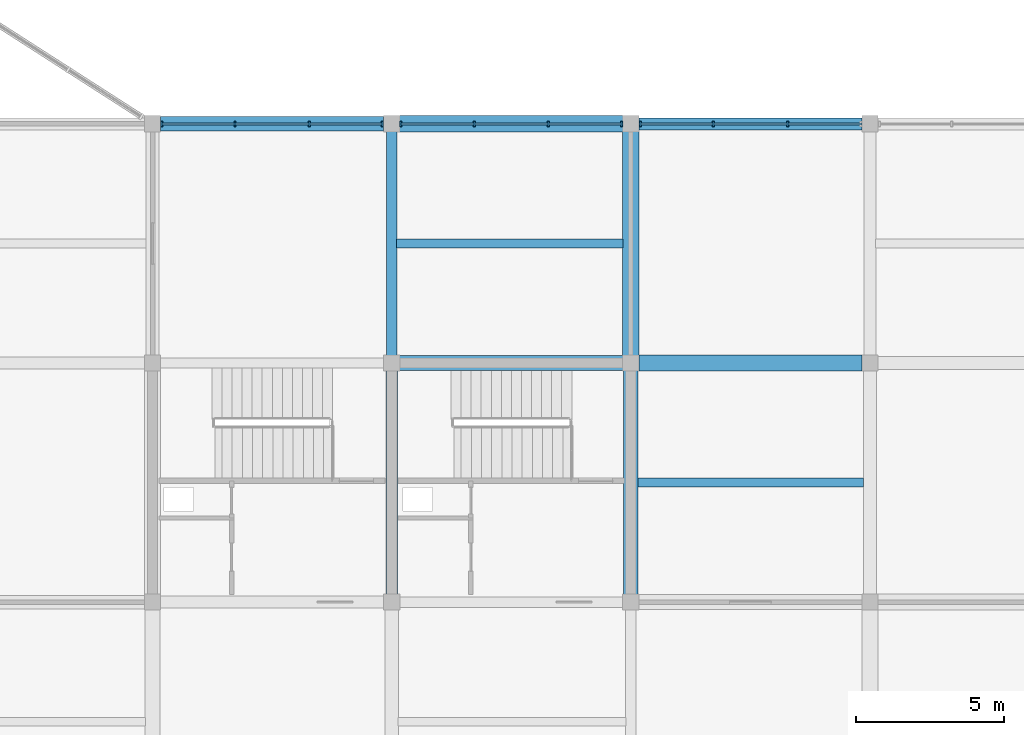
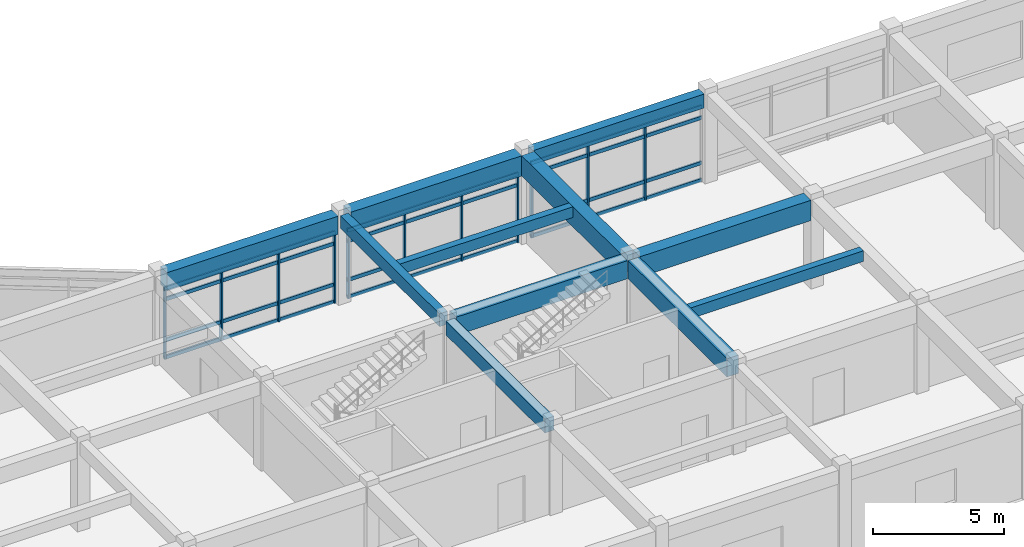
# One storey, part 15 of 42: 23 members, 11 beams, 3 elements without a shape of their own.
"""IFC4 building model written with IfcOpenShell, lengths in metres."""

from ifc_helpers import new_model, si_unit, direction, frame, origin, origin_2d, place, context, subcontext, project, spatial, rectangle, extrude, material, layer, layer_set, material_profile, profile_set, type_object, element, aggregate, save


model = new_model("IFC4")

# Units and contexts
model_context = context("Model", 3, precision=1e-05, world=origin(), true_north=direction((0.0, 1.0)))
body_context = subcontext(model_context, "Body", "Model", "MODEL_VIEW")
ifc_project = project(units=[si_unit("LENGTHUNIT", "METRE"), si_unit("AREAUNIT", "SQUARE_METRE"), si_unit("VOLUMEUNIT", "CUBIC_METRE"), si_unit("PLANEANGLEUNIT", "RADIAN"), si_unit("MASSUNIT", "GRAM", prefix="KILO")], contexts=[model_context])

# Site, building, storey
site_placement = place(None, origin())
site = spatial("IfcSite", under=ifc_project, at=site_placement, CompositionType="ELEMENT")
building_placement = place(site_placement, origin())
building = spatial("IfcBuilding", under=site, at=building_placement, Name="Vaudrelin Polytechnic", CompositionType="ELEMENT")
storey_placement = place(building_placement, frame((0.0, 0.0, 18.530029296875)))
storey = spatial("IfcBuildingStorey", under=building, at=storey_placement, Name="L04", CompositionType="ELEMENT", Elevation=18.530029296875)

# Beams
ifc_material_1 = material(Name="Concrete 40 MPa", Category="concrete")
ifc_material_profile_1 = material_profile(ifc_material_1, rectangle(XDim=0.35009765625, YDim=0.60009765625, at=origin_2d()), Name="RC350x600")
ifc_profile_set_1 = profile_set([ifc_material_profile_1], Name="Concrete 40 MPa")
beam_type_1 = type_object("IfcBeamType", Name="BM-BM-RC3560", PredefinedType="BEAM", material=ifc_profile_set_1)
beam_1_placement = place(storey_placement, frame((113.39990234375, 113.659912109375, 3.85986328125), z_axis=(0.0, 1.0, 0.0), x_axis=(-1.0, 0.0, 0.0)))
element("IfcBeam", 1, at=beam_1_placement, inside=storey, type_object=beam_type_1, Name="L04 Y-beam 15-15", PredefinedType="BEAM", context=body_context, shape_type="SweptSolid", body=[
    extrude(rectangle(XDim=0.35009765625, YDim=0.60009765625, at=origin_2d()), origin(), (0.0, 0.0, 1.0), 7.580078125),
])
ifc_material_profile_2 = material_profile(ifc_material_1, rectangle(XDim=0.39990234375, YDim=0.64990234375, at=origin_2d()), Name="RC400x650")
ifc_profile_set_2 = profile_set([ifc_material_profile_2], Name="Concrete 40 MPa")
beam_type_2 = type_object("IfcBeamType", Name="BM-BM-RC4065", PredefinedType="BEAM", material=ifc_profile_set_2)
beam_2_placement = place(storey_placement, frame((113.39990234375, 105.56005859375, 3.8349609375), z_axis=(0.0, 1.0, 0.0), x_axis=(-1.0, 0.0, 0.0)))
element("IfcBeam", 2, at=beam_2_placement, inside=storey, type_object=beam_type_2, Name="L04 Y-beam 15-14", PredefinedType="BEAM", context=body_context, shape_type="SweptSolid", body=[
    extrude(rectangle(XDim=0.39990234375, YDim=0.64990234375, at=origin_2d()), origin(), (0.0, 0.0, 1.0), 7.579833984375),
])
ifc_material_profile_3 = material_profile(ifc_material_1, rectangle(XDim=0.5, YDim=0.85009765625, at=origin_2d()), Name="RC500x850")
ifc_profile_set_3 = profile_set([ifc_material_profile_3], Name="Concrete 40 MPa")
beam_type_3 = type_object("IfcBeamType", Name="BM-BM-RC5085", PredefinedType="BEAM", material=ifc_profile_set_3)
beam_3_placement = place(storey_placement, frame((121.5, 105.56005859375, 3.73486328125), z_axis=(0.0, 1.0, 0.0), x_axis=(-1.0, 0.0, 0.0)))
element("IfcBeam", 3, at=beam_3_placement, inside=storey, type_object=beam_type_3, Name="L04 Y-beam 16-14", PredefinedType="BEAM", context=body_context, shape_type="SweptSolid", body=[
    extrude(rectangle(XDim=0.5, YDim=0.85009765625, at=origin_2d()), origin(), (0.0, 0.0, 1.0), 7.579833984375),
])
beam_4_placement = place(storey_placement, frame((105.571044921875, 121.5, 3.73486328125), z_axis=(1.0, 0.0, 0.0), x_axis=(0.0, 1.0, 0.0)))
element("IfcBeam", 4, at=beam_4_placement, inside=storey, type_object=beam_type_3, Name="L04 X-beam 14-16", PredefinedType="BEAM", context=body_context, shape_type="SweptSolid", body=[
    extrude(rectangle(XDim=0.5, YDim=0.85009765625, at=origin_2d()), origin(), (0.0, 0.0, 1.0), 7.557861328125),
])
beam_5_placement = place(storey_placement, frame((113.6708984375, 113.39990234375, 3.73486328125), z_axis=(1.0, 0.0, 0.0), x_axis=(0.0, 1.0, 0.0)))
element("IfcBeam", 5, at=beam_5_placement, inside=storey, type_object=beam_type_3, Name="L04 X-beam 15-15", PredefinedType="BEAM", context=body_context, shape_type="SweptSolid", body=[
    extrude(rectangle(XDim=0.5, YDim=0.85009765625, at=origin_2d()), origin(), (0.0, 0.0, 1.0), 7.55810546875),
])
ifc_material_2 = material(Name="Concrete 50 MPa", Category="concrete")
ifc_material_profile_4 = material_profile(ifc_material_2, rectangle(XDim=0.550048828125, YDim=0.949951171875, at=origin_2d()), Name="RC550x950")
ifc_profile_set_4 = profile_set([ifc_material_profile_4], Name="Concrete 50 MPa")
beam_type_4 = type_object("IfcBeamType", Name="BM-BM-RC5595", PredefinedType="BEAM", material=ifc_profile_set_4)
beam_6_placement = place(storey_placement, frame((121.5, 113.659912109375, 3.68505859375), z_axis=(0.0, 1.0, 0.0), x_axis=(-1.0, 0.0, 0.0)))
element("IfcBeam", 6, at=beam_6_placement, inside=storey, type_object=beam_type_4, Name="L04 Y-beam 16-15", PredefinedType="BEAM", context=body_context, shape_type="SweptSolid", body=[
    extrude(rectangle(XDim=0.550048828125, YDim=0.949951171875, at=origin_2d()), origin(), (0.0, 0.0, 1.0), 7.580078125),
])
for number, where, z_axis, x_axis, name in (
    (7, (113.6708984375, 121.5, 3.68505859375), (1.0, 0.0, 0.0), (0.0, 1.0, 0.0), "L04 X-beam 15-16"),
    (8, (121.77099609375, 113.39990234375, 3.68505859375), (1.0, 0.0, 0.0), (0.0, 1.0, 0.0), "L04 X-beam 16-15"),
):
    element("IfcBeam", number, at=place(storey_placement, frame(where, z_axis=z_axis, x_axis=x_axis)), inside=storey, type_object=beam_type_4, Name=name, PredefinedType="BEAM", context=body_context, shape_type="SweptSolid", body=[
        extrude(rectangle(XDim=0.550048828125, YDim=0.949951171875, at=origin_2d()), origin(), (0.0, 0.0, 1.0), 7.55810546875),
    ])
ifc_material_profile_5 = material_profile(ifc_material_1, rectangle(XDim=0.300048828125, YDim=0.5, at=origin_2d()), Name="RC300x500")
ifc_profile_set_5 = profile_set([ifc_material_profile_5], Name="Concrete 40 MPa")
beam_type_5 = type_object("IfcBeamType", Name="BM-JS-RC3050", PredefinedType="JOIST", material=ifc_profile_set_5)
beam_7_placement = place(storey_placement, frame((113.571044921875, 117.449951171875, 3.909912109375), z_axis=(1.0, 0.0, 0.0), x_axis=(0.0, 1.0, 0.0)))
element("IfcBeam", 9, at=beam_7_placement, inside=storey, type_object=beam_type_5, Name="L04 floor joist 15-15", PredefinedType="JOIST", context=body_context, shape_type="SweptSolid", body=[
    extrude(rectangle(XDim=0.300048828125, YDim=0.5, at=origin_2d()), origin(), (0.0, 0.0, 1.0), 7.657958984375),
])
beam_8_placement = place(storey_placement, frame((121.74609375, 109.35009765625, 3.909912109375), z_axis=(1.0, 0.0, 0.0), x_axis=(0.0, 1.0, 0.0)))
element("IfcBeam", 10, at=beam_8_placement, inside=storey, type_object=beam_type_5, Name="L04 floor joist 16-14", PredefinedType="JOIST", context=body_context, shape_type="SweptSolid", body=[
    extrude(rectangle(XDim=0.300048828125, YDim=0.5, at=origin_2d()), origin(), (0.0, 0.0, 1.0), 7.6328125),
])
ifc_material_profile_6 = material_profile(ifc_material_1, rectangle(XDim=0.39990234375, YDim=0.64990234375, at=origin_2d()), Name="RC400x650")
ifc_profile_set_6 = profile_set([ifc_material_profile_6], Name="Concrete 40 MPa")
beam_type_6 = type_object("IfcBeamType", Name="BM-SP-RC4065", PredefinedType="SPANDREL", material=ifc_profile_set_6)
beam_9_placement = place(storey_placement, frame((121.77099609375, 121.5, 3.8349609375), z_axis=(1.0, 0.0, 0.0), x_axis=(0.0, 1.0, 0.0)))
element("IfcBeam", 11, at=beam_9_placement, inside=storey, type_object=beam_type_6, Name="L04 X-beam 16-16", PredefinedType="SPANDREL", context=body_context, shape_type="SweptSolid", body=[
    extrude(rectangle(XDim=0.39990234375, YDim=0.64990234375, at=origin_2d()), origin(), (0.0, 0.0, 1.0), 7.55810546875),
])

# Curtain wall, members
ifc_material_3 = material(Name="Thermally broken anodised aluminium AA 6063-T6 and low-e triple glazing", Category="aluminium")
ifc_layer = layer(ifc_material_3, 0.199951171875)
ifc_layer_set = layer_set([ifc_layer], Name="Thermally broken anodised aluminium AA 6063-T6 and low-e triple glazing")
curtain_wall_type = type_object("IfcCurtainWallType", Name="CW-CW-STU", PredefinedType="USERDEFINED", material=ifc_layer_set)
curtain_wall_1_placement = place(storey_placement, origin())
curtain_wall_1 = element("IfcCurtainWall", 12, at=curtain_wall_1_placement, inside=storey, type_object=curtain_wall_type, Name="Curtain wall L04 N_V5_13", ObjectType="CURTAIN WALL", PredefinedType="USERDEFINED")
ifc_material_4 = material(Name="Anodised aluminium AA 6063-T6", Category="aluminium")
ifc_material_profile_7 = material_profile(ifc_material_4, rectangle(XDim=0.06494140625, YDim=0.179931640625, at=origin_2d()), Name="CWM-65x180")
ifc_profile_set_7 = profile_set([ifc_material_profile_7], Name="Anodised aluminium AA 6063-T6")
member_type_1 = type_object("IfcMemberType", Name="MEM-CWM-180", PredefinedType="MULLION", material=ifc_profile_set_7)
member_1_placement = place(storey_placement, frame((105.613037109375, 121.5, 0.0), z_axis=(0.0, 0.0, 1.0), x_axis=(1.0, 0.0, 0.0)))
member_1 = element("IfcMember", 13, at=member_1_placement, type_object=member_type_1, Name="N_V5_13 mullion 1", PredefinedType="MULLION", context=body_context, shape_type="SweptSolid", body=[
    extrude(rectangle(XDim=0.06494140625, YDim=0.179931640625, at=origin_2d()), origin(), (0.0, 0.0, 1.0), 3.31201171875),
])
member_2_placement = place(storey_placement, frame((108.091064453125, 121.5, 0.0), z_axis=(0.0, 0.0, 1.0), x_axis=(1.0, 0.0, 0.0)))
member_2 = element("IfcMember", 14, at=member_2_placement, type_object=member_type_1, Name="N_V5_13 mullion 2", PredefinedType="MULLION", context=body_context, shape_type="SweptSolid", body=[
    extrude(rectangle(XDim=0.06494140625, YDim=0.179931640625, at=origin_2d()), origin(), (0.0, 0.0, 1.0), 3.31201171875),
])
member_3_placement = place(storey_placement, frame((110.60888671875, 121.5, 0.0), z_axis=(0.0, 0.0, 1.0), x_axis=(1.0, 0.0, 0.0)))
member_3 = element("IfcMember", 15, at=member_3_placement, type_object=member_type_1, Name="N_V5_13 mullion 3", PredefinedType="MULLION", context=body_context, shape_type="SweptSolid", body=[
    extrude(rectangle(XDim=0.06494140625, YDim=0.179931640625, at=origin_2d()), origin(), (0.0, 0.0, 1.0), 3.31201171875),
])
member_4_placement = place(storey_placement, frame((113.0869140625, 121.5, 0.0), z_axis=(0.0, 0.0, 1.0), x_axis=(1.0, 0.0, 0.0)))
member_4 = element("IfcMember", 16, at=member_4_placement, type_object=member_type_1, Name="N_V5_13 mullion 4", PredefinedType="MULLION", context=body_context, shape_type="SweptSolid", body=[
    extrude(rectangle(XDim=0.06494140625, YDim=0.179931640625, at=origin_2d()), origin(), (0.0, 0.0, 1.0), 3.31201171875),
])

curtain_wall_2_placement = place(storey_placement, origin())
curtain_wall_2 = element("IfcCurtainWall", 17, at=curtain_wall_2_placement, inside=storey, type_object=curtain_wall_type, Name="Curtain wall L04 N_V5_14", ObjectType="CURTAIN WALL", PredefinedType="USERDEFINED")
member_5_placement = place(storey_placement, frame((113.712890625, 121.5, 0.0), z_axis=(0.0, 0.0, 1.0), x_axis=(1.0, 0.0, 0.0)))
member_5 = element("IfcMember", 18, at=member_5_placement, type_object=member_type_1, Name="N_V5_14 mullion 1", PredefinedType="MULLION", context=body_context, shape_type="SweptSolid", body=[
    extrude(rectangle(XDim=0.06494140625, YDim=0.179931640625, at=origin_2d()), origin(), (0.0, 0.0, 1.0), 3.2119140625),
])
member_6_placement = place(storey_placement, frame((116.19091796875, 121.5, 0.0), z_axis=(0.0, 0.0, 1.0), x_axis=(1.0, 0.0, 0.0)))
member_6 = element("IfcMember", 19, at=member_6_placement, type_object=member_type_1, Name="N_V5_14 mullion 2", PredefinedType="MULLION", context=body_context, shape_type="SweptSolid", body=[
    extrude(rectangle(XDim=0.06494140625, YDim=0.179931640625, at=origin_2d()), origin(), (0.0, 0.0, 1.0), 3.2119140625),
])
member_7_placement = place(storey_placement, frame((118.708984375, 121.5, 0.0), z_axis=(0.0, 0.0, 1.0), x_axis=(1.0, 0.0, 0.0)))
member_7 = element("IfcMember", 20, at=member_7_placement, type_object=member_type_1, Name="N_V5_14 mullion 3", PredefinedType="MULLION", context=body_context, shape_type="SweptSolid", body=[
    extrude(rectangle(XDim=0.06494140625, YDim=0.179931640625, at=origin_2d()), origin(), (0.0, 0.0, 1.0), 3.2119140625),
])
member_8_placement = place(storey_placement, frame((121.18701171875, 121.5, 0.0), z_axis=(0.0, 0.0, 1.0), x_axis=(1.0, 0.0, 0.0)))
member_8 = element("IfcMember", 21, at=member_8_placement, type_object=member_type_1, Name="N_V5_14 mullion 4", PredefinedType="MULLION", context=body_context, shape_type="SweptSolid", body=[
    extrude(rectangle(XDim=0.06494140625, YDim=0.179931640625, at=origin_2d()), origin(), (0.0, 0.0, 1.0), 3.2119140625),
])

curtain_wall_3_placement = place(storey_placement, origin())
curtain_wall_3 = element("IfcCurtainWall", 22, at=curtain_wall_3_placement, inside=storey, type_object=curtain_wall_type, Name="Curtain wall L04 N_V5_15", ObjectType="CURTAIN WALL", PredefinedType="USERDEFINED")
member_9_placement = place(storey_placement, frame((121.81298828125, 121.5, 0.0), z_axis=(0.0, 0.0, 1.0), x_axis=(1.0, 0.0, 0.0)))
member_9 = element("IfcMember", 23, at=member_9_placement, type_object=member_type_1, Name="N_V5_15 mullion 1", PredefinedType="MULLION", context=body_context, shape_type="SweptSolid", body=[
    extrude(rectangle(XDim=0.06494140625, YDim=0.179931640625, at=origin_2d()), origin(), (0.0, 0.0, 1.0), 3.511962890625),
])
member_10_placement = place(storey_placement, frame((124.291015625, 121.5, 0.0), z_axis=(0.0, 0.0, 1.0), x_axis=(1.0, 0.0, 0.0)))
member_10 = element("IfcMember", 24, at=member_10_placement, type_object=member_type_1, Name="N_V5_15 mullion 2", PredefinedType="MULLION", context=body_context, shape_type="SweptSolid", body=[
    extrude(rectangle(XDim=0.06494140625, YDim=0.179931640625, at=origin_2d()), origin(), (0.0, 0.0, 1.0), 3.511962890625),
])
member_11_placement = place(storey_placement, frame((126.80908203125, 121.5, 0.0), z_axis=(0.0, 0.0, 1.0), x_axis=(1.0, 0.0, 0.0)))
member_11 = element("IfcMember", 25, at=member_11_placement, type_object=member_type_1, Name="N_V5_15 mullion 3", PredefinedType="MULLION", context=body_context, shape_type="SweptSolid", body=[
    extrude(rectangle(XDim=0.06494140625, YDim=0.179931640625, at=origin_2d()), origin(), (0.0, 0.0, 1.0), 3.511962890625),
])

# Member
ifc_material_profile_8 = material_profile(ifc_material_4, rectangle(XDim=0.074951171875, YDim=0.1650390625, at=origin_2d()), Name="CWT-75x165")
ifc_profile_set_8 = profile_set([ifc_material_profile_8], Name="Anodised aluminium AA 6063-T6")
member_type_2 = type_object("IfcMemberType", Name="MEM-CWT-165", PredefinedType="USERDEFINED", material=ifc_profile_set_8)
member_12_placement = place(storey_placement, frame((105.572998046875, 121.5, 0.050048828125), z_axis=(1.0, 0.0, 0.0), x_axis=(0.0, 1.0, 0.0)))
member_12 = element("IfcMember", 26, at=member_12_placement, type_object=member_type_2, Name="N_V5_13 transom 1", ObjectType="TRANSOM", PredefinedType="USERDEFINED", context=body_context, shape_type="SweptSolid", body=[
    extrude(rectangle(XDim=0.074951171875, YDim=0.1650390625, at=origin_2d()), origin(), (0.0, 0.0, 1.0), 7.553955078125),
])

member_13_placement = place(storey_placement, frame((105.572998046875, 121.5, 0.849853515625), z_axis=(1.0, 0.0, 0.0), x_axis=(0.0, 1.0, 0.0)))
member_13 = element("IfcMember", 27, at=member_13_placement, type_object=member_type_2, Name="N_V5_13 transom 2", ObjectType="TRANSOM", PredefinedType="USERDEFINED", context=body_context, shape_type="SweptSolid", body=[
    extrude(rectangle(XDim=0.074951171875, YDim=0.1650390625, at=origin_2d()), origin(), (0.0, 0.0, 1.0), 7.553955078125),
])

member_14_placement = place(storey_placement, frame((105.572998046875, 121.5, 2.761962890625), z_axis=(1.0, 0.0, 0.0), x_axis=(0.0, 1.0, 0.0)))
member_14 = element("IfcMember", 28, at=member_14_placement, type_object=member_type_2, Name="N_V5_13 transom 3", ObjectType="TRANSOM", PredefinedType="USERDEFINED", context=body_context, shape_type="SweptSolid", body=[
    extrude(rectangle(XDim=0.074951171875, YDim=0.1650390625, at=origin_2d()), origin(), (0.0, 0.0, 1.0), 7.553955078125),
])

member_15_placement = place(storey_placement, frame((105.572998046875, 121.5, 3.261962890625), z_axis=(1.0, 0.0, 0.0), x_axis=(0.0, 1.0, 0.0)))
member_15 = element("IfcMember", 29, at=member_15_placement, type_object=member_type_2, Name="N_V5_13 transom 4", ObjectType="TRANSOM", PredefinedType="USERDEFINED", context=body_context, shape_type="SweptSolid", body=[
    extrude(rectangle(XDim=0.074951171875, YDim=0.1650390625, at=origin_2d()), origin(), (0.0, 0.0, 1.0), 7.553955078125),
])

aggregate(curtain_wall_1, [member_1, member_2, member_3, member_4, member_12, member_13, member_14, member_15])

member_16_placement = place(storey_placement, frame((113.673095703125, 121.5, 0.050048828125), z_axis=(1.0, 0.0, 0.0), x_axis=(0.0, 1.0, 0.0)))
member_16 = element("IfcMember", 30, at=member_16_placement, type_object=member_type_2, Name="N_V5_14 transom 1", ObjectType="TRANSOM", PredefinedType="USERDEFINED", context=body_context, shape_type="SweptSolid", body=[
    extrude(rectangle(XDim=0.074951171875, YDim=0.1650390625, at=origin_2d()), origin(), (0.0, 0.0, 1.0), 7.553955078125),
])

member_17_placement = place(storey_placement, frame((113.673095703125, 121.5, 0.849853515625), z_axis=(1.0, 0.0, 0.0), x_axis=(0.0, 1.0, 0.0)))
member_17 = element("IfcMember", 31, at=member_17_placement, type_object=member_type_2, Name="N_V5_14 transom 2", ObjectType="TRANSOM", PredefinedType="USERDEFINED", context=body_context, shape_type="SweptSolid", body=[
    extrude(rectangle(XDim=0.074951171875, YDim=0.1650390625, at=origin_2d()), origin(), (0.0, 0.0, 1.0), 7.553955078125),
])

member_18_placement = place(storey_placement, frame((113.673095703125, 121.5, 2.661865234375), z_axis=(1.0, 0.0, 0.0), x_axis=(0.0, 1.0, 0.0)))
member_18 = element("IfcMember", 32, at=member_18_placement, type_object=member_type_2, Name="N_V5_14 transom 3", ObjectType="TRANSOM", PredefinedType="USERDEFINED", context=body_context, shape_type="SweptSolid", body=[
    extrude(rectangle(XDim=0.074951171875, YDim=0.1650390625, at=origin_2d()), origin(), (0.0, 0.0, 1.0), 7.553955078125),
])

member_19_placement = place(storey_placement, frame((113.673095703125, 121.5, 3.161865234375), z_axis=(1.0, 0.0, 0.0), x_axis=(0.0, 1.0, 0.0)))
member_19 = element("IfcMember", 33, at=member_19_placement, type_object=member_type_2, Name="N_V5_14 transom 4", ObjectType="TRANSOM", PredefinedType="USERDEFINED", context=body_context, shape_type="SweptSolid", body=[
    extrude(rectangle(XDim=0.074951171875, YDim=0.1650390625, at=origin_2d()), origin(), (0.0, 0.0, 1.0), 7.553955078125),
])

aggregate(curtain_wall_2, [member_5, member_6, member_7, member_8, member_16, member_17, member_18, member_19])

member_20_placement = place(storey_placement, frame((121.77294921875, 121.5, 0.050048828125), z_axis=(1.0, 0.0, 0.0), x_axis=(0.0, 1.0, 0.0)))
member_20 = element("IfcMember", 34, at=member_20_placement, type_object=member_type_2, Name="N_V5_15 transom 1", ObjectType="TRANSOM", PredefinedType="USERDEFINED", context=body_context, shape_type="SweptSolid", body=[
    extrude(rectangle(XDim=0.074951171875, YDim=0.1650390625, at=origin_2d()), origin(), (0.0, 0.0, 1.0), 7.553955078125),
])

member_21_placement = place(storey_placement, frame((121.77294921875, 121.5, 0.849853515625), z_axis=(1.0, 0.0, 0.0), x_axis=(0.0, 1.0, 0.0)))
member_21 = element("IfcMember", 35, at=member_21_placement, type_object=member_type_2, Name="N_V5_15 transom 2", ObjectType="TRANSOM", PredefinedType="USERDEFINED", context=body_context, shape_type="SweptSolid", body=[
    extrude(rectangle(XDim=0.074951171875, YDim=0.1650390625, at=origin_2d()), origin(), (0.0, 0.0, 1.0), 7.553955078125),
])

member_22_placement = place(storey_placement, frame((121.77294921875, 121.5, 2.9619140625), z_axis=(1.0, 0.0, 0.0), x_axis=(0.0, 1.0, 0.0)))
member_22 = element("IfcMember", 36, at=member_22_placement, type_object=member_type_2, Name="N_V5_15 transom 3", ObjectType="TRANSOM", PredefinedType="USERDEFINED", context=body_context, shape_type="SweptSolid", body=[
    extrude(rectangle(XDim=0.074951171875, YDim=0.1650390625, at=origin_2d()), origin(), (0.0, 0.0, 1.0), 7.553955078125),
])

member_23_placement = place(storey_placement, frame((121.77294921875, 121.5, 3.4619140625), z_axis=(1.0, 0.0, 0.0), x_axis=(0.0, 1.0, 0.0)))
member_23 = element("IfcMember", 37, at=member_23_placement, type_object=member_type_2, Name="N_V5_15 transom 4", ObjectType="TRANSOM", PredefinedType="USERDEFINED", context=body_context, shape_type="SweptSolid", body=[
    extrude(rectangle(XDim=0.074951171875, YDim=0.1650390625, at=origin_2d()), origin(), (0.0, 0.0, 1.0), 7.553955078125),
])

aggregate(curtain_wall_3, [member_9, member_10, member_11, member_20, member_21, member_22, member_23])

save(model, "model.ifc")
